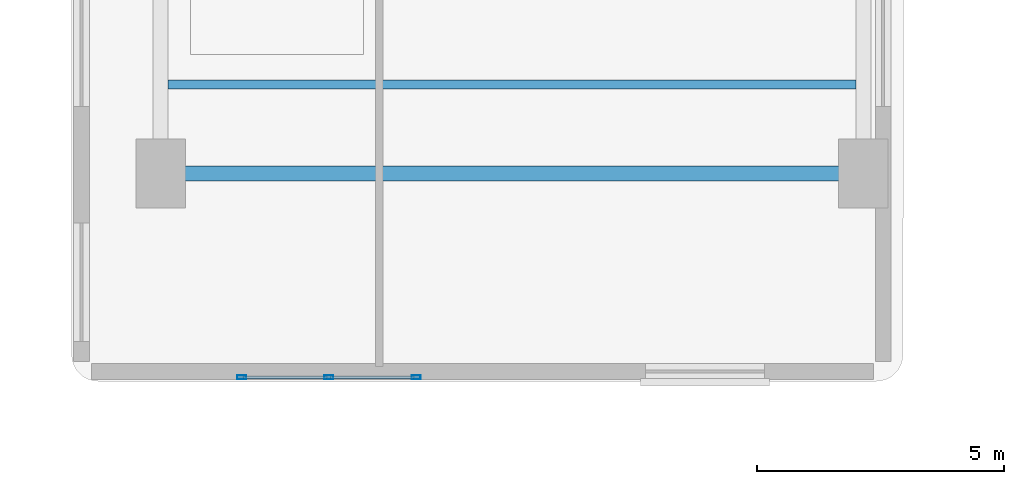
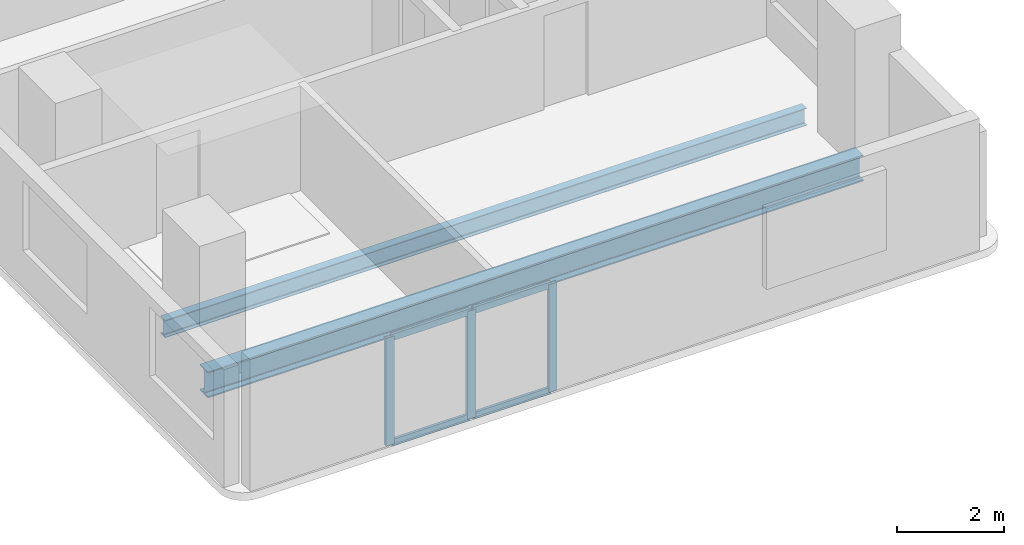
# One storey, part 2 of 17: 7 members, 2 beams, 1 element without a shape of its own.
"""IFC4 building model written with IfcOpenShell, lengths in metres."""

from ifc_helpers import new_model, si_unit, direction, frame, origin, origin_2d, place, context, subcontext, project, spatial, hollow_rectangle, i_section, extrude, material, material_profile, profile_set, type_object, element, aggregate, save


model = new_model("IFC4")

# Units and contexts
model_context = context("Model", 3, precision=1e-05, world=origin(), true_north=direction((0.0, 1.0)))
body_context = subcontext(model_context, "Body", "Model", "MODEL_VIEW")
ifc_project = project(units=[si_unit("LENGTHUNIT", "METRE"), si_unit("AREAUNIT", "SQUARE_METRE"), si_unit("VOLUMEUNIT", "CUBIC_METRE"), si_unit("PLANEANGLEUNIT", "RADIAN"), si_unit("MASSUNIT", "GRAM", prefix="KILO")], contexts=[model_context])

# Site, building, storey
site_placement = place(None, origin())
site = spatial("IfcSite", under=ifc_project, at=site_placement, CompositionType="ELEMENT")
building_placement = place(site_placement, origin())
building = spatial("IfcBuilding", under=site, at=building_placement, Name="Kuzgunbayir Cultural Tower", CompositionType="ELEMENT")
storey_placement = place(building_placement, frame((0.0, 0.0, 56.39990234375)))
storey = spatial("IfcBuildingStorey", under=building, at=storey_placement, Name="L15", CompositionType="ELEMENT", Elevation=56.39990234375)

# Beams
ifc_material_1 = material(Name="Steel S355J2", Category="steel")
ifc_material_profile_1 = material_profile(ifc_material_1, i_section(OverallWidth=0.300048828125, OverallDepth=0.60009765625, WebThickness=0.015380859375, FlangeThickness=0.030029296875, FilletRadius=0.027099609375, at=origin_2d()), Name="HEB 600")
ifc_profile_set_1 = profile_set([ifc_material_profile_1], Name="Steel S355J2")
beam_type_1 = type_object("IfcBeamType", Name="BM-GIR-HEB600", PredefinedType="BEAM", material=ifc_profile_set_1)
beam_1_placement = place(storey_placement, frame((5.39990234375, 12.60009765625, -0.47998046875), z_axis=(1.0, 0.0, 0.0), x_axis=(0.0, 1.0, 0.0)))
element("IfcBeam", 1, at=beam_1_placement, inside=storey, type_object=beam_type_1, Name="L15 Wing A Transverse Girder 1", PredefinedType="BEAM", context=body_context, shape_type="SweptSolid", body=[
    extrude(i_section(OverallWidth=0.300048828125, OverallDepth=0.60009765625, WebThickness=0.015380859375, FlangeThickness=0.030029296875, FilletRadius=0.027099609375, at=origin_2d()), origin(), (0.0, 0.0, 1.0), 14.2001953125),
])
ifc_material_profile_2 = material_profile(ifc_material_1, i_section(OverallWidth=0.179931640625, OverallDepth=0.39990234375, WebThickness=0.008544921875, FlangeThickness=0.013427734375, FilletRadius=0.02099609375, at=origin_2d()), Name="IPE 400")
ifc_profile_set_2 = profile_set([ifc_material_profile_2], Name="Steel S355J2")
beam_type_2 = type_object("IfcBeamType", Name="BM-JST-IPE400", PredefinedType="JOIST", material=ifc_profile_set_2)
beam_2_placement = place(storey_placement, frame((5.550048828125, 14.39990234375, -0.3798828125), z_axis=(1.0, 0.0, 0.0), x_axis=(0.0, 1.0, 0.0)))
element("IfcBeam", 2, at=beam_2_placement, inside=storey, type_object=beam_type_2, Name="L15 Wing A Secondary Joist 1", PredefinedType="JOIST", context=body_context, shape_type="SweptSolid", body=[
    extrude(i_section(OverallWidth=0.179931640625, OverallDepth=0.39990234375, WebThickness=0.008544921875, FlangeThickness=0.013427734375, FilletRadius=0.02099609375, at=origin_2d()), origin(), (0.0, 0.0, 1.0), 13.89990234375),
])

# Curtain wall, members
ifc_material_2 = material(Name="Anodised Aluminium Framing", Category="aluminium")
curtain_wall_type = type_object("IfcCurtainWallType", Name="CW03-T1-OFFICE", PredefinedType="NOTDEFINED", material=ifc_material_2)
curtain_wall_placement = place(storey_placement, origin())
curtain_wall = element("IfcCurtainWall", 3, at=curtain_wall_placement, inside=storey, type_object=curtain_wall_type, Name="L15 Wing A South Feature Curtain Wall", PredefinedType="NOTDEFINED")
ifc_material_profile_3 = material_profile(ifc_material_2, hollow_rectangle(XDim=0.074951171875, YDim=0.179931640625, WallThickness=0.0048828125, at=origin_2d()), Name="RHS 180x75x5")
ifc_profile_set_3 = profile_set([ifc_material_profile_3], Name="Anodised Aluminium Framing")
member_type_1 = type_object("IfcMemberType", Name="MEM-CW-MULLION-180", PredefinedType="MULLION", material=ifc_profile_set_3)
member_1_placement = place(storey_placement, frame((7.03759765625, 8.47998046875, 0.0), z_axis=(0.0, 0.0, 1.0), x_axis=(0.0, 1.0, 0.0)))
member_1 = element("IfcMember", 4, at=member_1_placement, type_object=member_type_1, Name="CW03 mullion 1", PredefinedType="MULLION", context=body_context, shape_type="SweptSolid", body=[
    extrude(hollow_rectangle(XDim=0.074951171875, YDim=0.179931640625, WallThickness=0.0048828125, at=origin_2d()), origin(), (0.0, 0.0, 1.0), 2.47021484375),
])
member_2_placement = place(storey_placement, frame((8.800048828125, 8.47998046875, 0.0), z_axis=(0.0, 0.0, 1.0), x_axis=(0.0, 1.0, 0.0)))
member_2 = element("IfcMember", 5, at=member_2_placement, type_object=member_type_1, Name="CW03 mullion 2", PredefinedType="MULLION", context=body_context, shape_type="SweptSolid", body=[
    extrude(hollow_rectangle(XDim=0.074951171875, YDim=0.179931640625, WallThickness=0.0048828125, at=origin_2d()), origin(), (0.0, 0.0, 1.0), 2.47021484375),
])
member_3_placement = place(storey_placement, frame((10.5625, 8.47998046875, 0.0), z_axis=(0.0, 0.0, 1.0), x_axis=(0.0, 1.0, 0.0)))
member_3 = element("IfcMember", 6, at=member_3_placement, type_object=member_type_1, Name="CW03 mullion 3", PredefinedType="MULLION", context=body_context, shape_type="SweptSolid", body=[
    extrude(hollow_rectangle(XDim=0.074951171875, YDim=0.179931640625, WallThickness=0.0048828125, at=origin_2d()), origin(), (0.0, 0.0, 1.0), 2.47021484375),
])
ifc_material_profile_4 = material_profile(ifc_material_2, hollow_rectangle(XDim=0.06005859375, YDim=0.14990234375, WallThickness=0.00390625, at=origin_2d()), Name="RHS 150x60x4")
ifc_profile_set_4 = profile_set([ifc_material_profile_4], Name="Anodised Aluminium Framing")
member_type_2 = type_object("IfcMemberType", Name="MEM-CW-TRANSOM-150", PredefinedType="USERDEFINED", material=ifc_profile_set_4)
member_4_placement = place(storey_placement, frame((7.074951171875, 8.47998046875, 0.030029296875), z_axis=(1.0, 0.0, 0.0), x_axis=(0.0, 1.0, 0.0)))
member_4 = element("IfcMember", 7, at=member_4_placement, type_object=member_type_2, Name="CW03 transom 1.1", ObjectType="TRANSOM", PredefinedType="USERDEFINED", context=body_context, shape_type="SweptSolid", body=[
    extrude(hollow_rectangle(XDim=0.06005859375, YDim=0.14990234375, WallThickness=0.00390625, at=origin_2d()), origin(), (0.0, 0.0, 1.0), 1.6875),
])
member_5_placement = place(storey_placement, frame((7.074951171875, 8.47998046875, 2.440185546875), z_axis=(1.0, 0.0, 0.0), x_axis=(0.0, 1.0, 0.0)))
member_5 = element("IfcMember", 8, at=member_5_placement, type_object=member_type_2, Name="CW03 transom 1.2", ObjectType="TRANSOM", PredefinedType="USERDEFINED", context=body_context, shape_type="SweptSolid", body=[
    extrude(hollow_rectangle(XDim=0.06005859375, YDim=0.14990234375, WallThickness=0.00390625, at=origin_2d()), origin(), (0.0, 0.0, 1.0), 1.6875),
])
member_6_placement = place(storey_placement, frame((8.83740234375, 8.47998046875, 0.030029296875), z_axis=(1.0, 0.0, 0.0), x_axis=(0.0, 1.0, 0.0)))
member_6 = element("IfcMember", 9, at=member_6_placement, type_object=member_type_2, Name="CW03 transom 2.1", ObjectType="TRANSOM", PredefinedType="USERDEFINED", context=body_context, shape_type="SweptSolid", body=[
    extrude(hollow_rectangle(XDim=0.06005859375, YDim=0.14990234375, WallThickness=0.00390625, at=origin_2d()), origin(), (0.0, 0.0, 1.0), 1.6875),
])
member_7_placement = place(storey_placement, frame((8.83740234375, 8.47998046875, 2.440185546875), z_axis=(1.0, 0.0, 0.0), x_axis=(0.0, 1.0, 0.0)))
member_7 = element("IfcMember", 10, at=member_7_placement, type_object=member_type_2, Name="CW03 transom 2.2", ObjectType="TRANSOM", PredefinedType="USERDEFINED", context=body_context, shape_type="SweptSolid", body=[
    extrude(hollow_rectangle(XDim=0.06005859375, YDim=0.14990234375, WallThickness=0.00390625, at=origin_2d()), origin(), (0.0, 0.0, 1.0), 1.6875),
])
aggregate(curtain_wall, [member_1, member_2, member_3, member_4, member_5, member_6, member_7])

save(model, "model.ifc")
